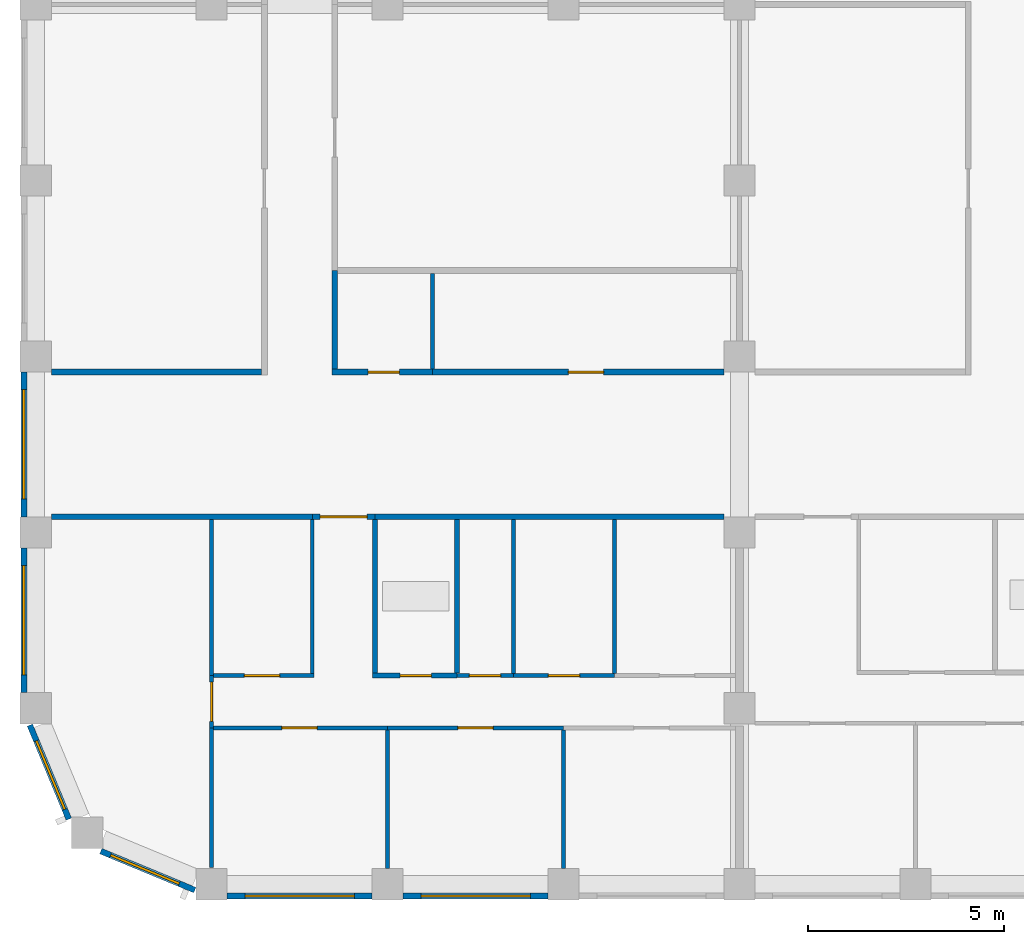
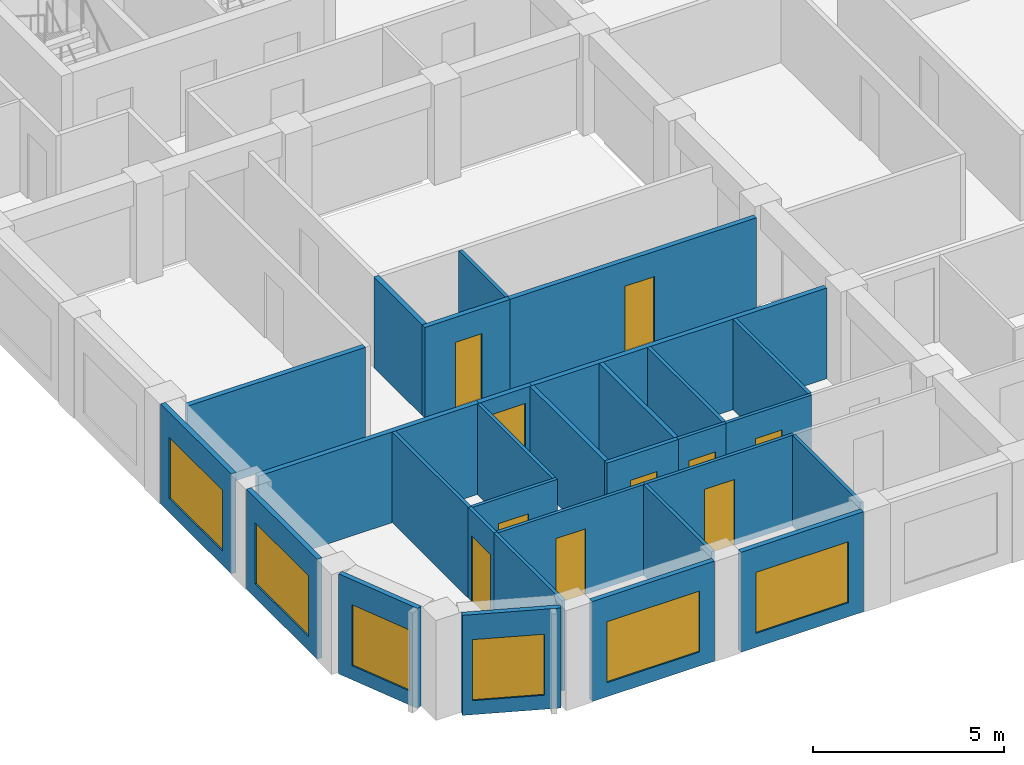
# One storey, part 2 of 10: 30 walls, 10 doors, 6 windows, 16 openings.
"""IFC4 building model written with IfcOpenShell, lengths in metres."""

import ifcopenshell
import ifcopenshell.guid

model = None  # the IFC model being written
_history = None  # IfcOwnerHistory: only IFC2X3 demands one
_inside = {}  # id of a spatial element -> (the spatial element, [elements in it])
_under = {}  # id of a project, library or spatial element -> (it, [spatial elements below it])
_declared = {}  # id of a project -> (the project, [libraries it declares])
_typed = {}  # id of a type object -> (the type object, [elements of that type])
_made_of = {}  # id of a material, layer set ... -> (it, [elements and type objects made of it])


def new_model(schema):
    """Start an empty IFC model of exactly this schema.

    Asked for "IFC4X3", IfcOpenShell would pick the latest addendum, in which some entities
    have other attributes; the version numbers below select the first issue.
    IFC2X3 requires an IfcOwnerHistory on every rooted entity: one is made here for all.
    """
    global model, _history
    if schema == "IFC4X3":
        model = ifcopenshell.file(schema_version=(4, 3, 0, 0))
    else:
        model = ifcopenshell.file(schema=schema)
    _inside.clear()
    _under.clear()
    _declared.clear()
    _typed.clear()
    _made_of.clear()
    _history = None
    if model.schema == "IFC2X3":
        org = make("IfcOrganization", Name="unknown")
        user = make(
            "IfcPersonAndOrganization",
            ThePerson=make("IfcPerson", FamilyName="unknown"),
            TheOrganization=org,
        )
        app = make(
            "IfcApplication",
            ApplicationDeveloper=org,
            Version="unknown",
            ApplicationFullName="unknown",
            ApplicationIdentifier="unknown",
        )
        _history = make(
            "IfcOwnerHistory",
            OwningUser=user,
            OwningApplication=app,
            ChangeAction="ADDED",
            CreationDate=0,
        )
    return model


def make(cls, **values):
    """One entity of the class cls with the attributes given. An attribute that is None is left unset."""
    return model.create_entity(
        cls, **{name: value for name, value in values.items() if value is not None}
    )


def rooted(cls, **values):
    """An entity with a GlobalId (a new one), such as an element, a storey or a relation."""
    return make(cls, GlobalId=ifcopenshell.guid.new(), OwnerHistory=_history, **values)


def si_unit(unit_type, name, prefix=None):
    """IfcSIUnit, for example si_unit("LENGTHUNIT", "METRE", prefix="MILLI")."""
    return make("IfcSIUnit", UnitType=unit_type, Prefix=prefix, Name=name)


def assignment(units):
    """IfcUnitAssignment: the units of a project."""
    return None if units is None else make("IfcUnitAssignment", Units=units)


def point(xyz):
    """IfcCartesianPoint."""
    return None if xyz is None else make("IfcCartesianPoint", Coordinates=xyz)


def direction(xyz):
    """IfcDirection."""
    return None if xyz is None else make("IfcDirection", DirectionRatios=xyz)


def frame(location, z_axis=None, x_axis=None):
    """IfcAxis2Placement3D, a coordinate frame: its origin and axes. An axis left out is left unset."""
    return make(
        "IfcAxis2Placement3D",
        Location=point(location),
        Axis=direction(z_axis),
        RefDirection=direction(x_axis),
    )


def frame_2d(location, x_axis=None):
    """IfcAxis2Placement2D, a coordinate frame in the plane: its origin and x axis."""
    return make(
        "IfcAxis2Placement2D", Location=point(location), RefDirection=direction(x_axis)
    )


def origin():
    """The frame at (0, 0, 0) with its axes left unset."""
    return frame((0.0, 0.0, 0.0))


def place(relative_to, where):
    """IfcLocalPlacement: puts the frame where relative to a parent placement (None: the world)."""
    return make(
        "IfcLocalPlacement", PlacementRelTo=relative_to, RelativePlacement=where
    )


def context(
    kind, dimensions, precision=None, world=None, true_north=None, identifier=None
):
    """IfcGeometricRepresentationContext, for example the 3D "Model" context."""
    return make(
        "IfcGeometricRepresentationContext",
        ContextIdentifier=identifier,
        ContextType=kind,
        CoordinateSpaceDimension=dimensions,
        Precision=precision,
        WorldCoordinateSystem=world,
        TrueNorth=true_north,
    )


def subcontext(parent, identifier, kind, view, scale=None):
    """IfcGeometricRepresentationSubContext, for example "Body" below "Model"."""
    return make(
        "IfcGeometricRepresentationSubContext",
        ContextIdentifier=identifier,
        ContextType=kind,
        ParentContext=parent,
        TargetScale=scale,
        TargetView=view,
    )


def project(units=None, contexts=None):
    """IfcProject with its units and contexts."""
    return rooted(
        "IfcProject",
        Name="project",
        RepresentationContexts=contexts,
        UnitsInContext=assignment(units),
    )


def spatial(cls, under=None, at=None, **own):
    """A site, building, storey or space (cls), placed at a placement, below another one or the project."""
    s = rooted(cls, ObjectPlacement=at, **own)
    if under is not None:
        _under.setdefault(under.id(), (under, []))[1].append(s)
    return s


def profile(cls, at=None, kind="AREA", **sizes):
    """A parametric profile (cls). Its sizes go by their IFC names, for example OverallWidth=200.0."""
    return make(cls, ProfileType=kind, Position=at, **sizes)


def rectangle(**sizes):
    """IfcRectangleProfileDef."""
    return profile("IfcRectangleProfileDef", **sizes)


def extrude(swept, where, along, depth):
    """IfcExtrudedAreaSolid: the profile swept, set in the frame where, extruded along a direction by depth."""
    return make(
        "IfcExtrudedAreaSolid",
        SweptArea=swept,
        Position=where,
        ExtrudedDirection=direction(along),
        Depth=depth,
    )


def shape(context_of_items, identifier, shape_type, items):
    """IfcShapeRepresentation: the items that make up one representation, for example the "Body"."""
    return make(
        "IfcShapeRepresentation",
        ContextOfItems=context_of_items,
        RepresentationIdentifier=identifier,
        RepresentationType=shape_type,
        Items=items,
    )


def material(Name=None, Category=None):
    """IfcMaterial."""
    return make("IfcMaterial", Name=Name, Category=Category)


def layer(
    of_material, thickness, ventilated=None, Name=None, Category=None, Priority=None
):
    """IfcMaterialLayer: one layer of a wall or slab, of a material (None: an air gap)."""
    return make(
        "IfcMaterialLayer",
        Material=of_material,
        LayerThickness=thickness,
        IsVentilated=ventilated,
        Name=Name,
        Category=Category,
        Priority=Priority,
    )


def layer_set(layers, Name=None):
    """IfcMaterialLayerSet."""
    return make("IfcMaterialLayerSet", MaterialLayers=layers, LayerSetName=Name)


def made_of(thing, what):
    """Note that an element or type object is made of a material, layer set ...; save() writes the relation."""
    if what is not None:
        _made_of.setdefault(what.id(), (what, []))[1].append(thing)
    return thing


def type_object(cls, material=None, **own):
    """A type object (cls), such as IfcWallType, which elements share."""
    return made_of(rooted(cls, **own), material)


def element(
    cls,
    number,
    at=None,
    inside=None,
    cuts=None,
    type_object=None,
    material=None,
    context=None,
    identifier="Body",
    shape_type=None,
    held_by="IfcProductDefinitionShape",
    body=None,
    shapes=None,
    **own,
):
    """One element of the class cls, such as IfcWall. Its Tag is "e" and its number.

    at: its placement. inside: the storey or other place that contains it. cuts: it is an
    opening in that element (IfcRelVoidsElement). A single representation is given by context,
    identifier, shape_type and body (its items); several are given by shapes. held_by: the class
    of the entity that holds the representations. save() writes the other relations.
    """
    e = rooted(cls, Tag="e%d" % number, ObjectPlacement=at, **own)
    if body is not None:
        shapes = [shape(context, identifier, shape_type, body)]
    if shapes is not None:
        e.Representation = make(held_by, Representations=shapes)
    if inside is not None:
        _inside.setdefault(inside.id(), (inside, []))[1].append(e)
    if cuts is not None:
        rooted(
            "IfcRelVoidsElement", RelatingBuildingElement=cuts, RelatedOpeningElement=e
        )
    if type_object is not None:
        _typed.setdefault(type_object.id(), (type_object, []))[1].append(e)
    return made_of(e, material)


def fill(opening, filler):
    """IfcRelFillsElement: the door or window that sits in an opening."""
    return rooted(
        "IfcRelFillsElement",
        RelatingOpeningElement=opening,
        RelatedBuildingElement=filler,
    )


def aggregate(whole, parts):
    """IfcRelAggregates: a whole, such as a stair, and the parts it consists of."""
    return rooted("IfcRelAggregates", RelatingObject=whole, RelatedObjects=parts)


def save(model, path):
    """Write the relations noted so far, then the file.

    IfcRelAggregates (storeys below a building ...), IfcRelContainedInSpatialStructure (elements
    in a storey), IfcRelDefinesByType, IfcRelAssociatesMaterial and IfcRelDeclares: one each for
    every whole, place, type object, material and project.
    """
    for whole, parts in _under.values():
        aggregate(whole, parts)
    for where, things in _inside.values():
        rooted(
            "IfcRelContainedInSpatialStructure",
            RelatedElements=things,
            RelatingStructure=where,
        )
    for kind, things in _typed.values():
        rooted("IfcRelDefinesByType", RelatedObjects=things, RelatingType=kind)
    for what, things in _made_of.values():
        rooted("IfcRelAssociatesMaterial", RelatedObjects=things, RelatingMaterial=what)
    for by, libraries in _declared.values():
        rooted("IfcRelDeclares", RelatingContext=by, RelatedDefinitions=libraries)
    model.write(path)


model = new_model("IFC4")

# Units and contexts
model_context = context("Model", 3, precision=1e-05, world=origin(), true_north=direction((0.0, 1.0)))
body_context = subcontext(model_context, "Body", "Model", "MODEL_VIEW")
ifc_project = project(units=[si_unit("LENGTHUNIT", "METRE"), si_unit("AREAUNIT", "SQUARE_METRE"), si_unit("VOLUMEUNIT", "CUBIC_METRE"), si_unit("PLANEANGLEUNIT", "RADIAN"), si_unit("MASSUNIT", "GRAM", prefix="KILO")], contexts=[model_context])

# Site, building, storey
site_placement = place(None, origin())
site = spatial("IfcSite", under=ifc_project, at=site_placement, CompositionType="ELEMENT")
building_placement = place(site_placement, origin())
building = spatial("IfcBuilding", under=site, at=building_placement, Name="Girih Gate Residences", CompositionType="ELEMENT")
storey_placement = place(building_placement, frame((0.0, 0.0, 192.300048828125)))
storey = spatial("IfcBuildingStorey", under=building, at=storey_placement, Name="L53", CompositionType="ELEMENT", Elevation=192.300048828125)

# Wall
ifc_material_1 = material(Name="Gypsum board on steel studs", Category="steel")
ifc_layer_1 = layer(ifc_material_1, 0.14990234375)
ifc_layer_set_1 = layer_set([ifc_layer_1], Name="Compartment wall 150 mm")
wall_type_1 = type_object("IfcWallType", Name="Compartment wall 150 mm", PredefinedType="PARTITIONING", material=ifc_layer_set_1)
wall_1_placement = place(storey_placement, frame((8.675048828125, 9.39990234375, 0.0), z_axis=(0.0, 0.0, 1.0), x_axis=(1.0, 0.0, 0.0)))
element("IfcWall", 1, at=wall_1_placement, inside=storey, type_object=wall_type_1, Name="L53 partition", PredefinedType="PARTITIONING", context=body_context, shape_type="SweptSolid", body=[
    extrude(rectangle(XDim=8.925048828125, YDim=0.14990234375, at=frame_2d((4.46240234375, 0.0))), origin(), (0.0, 0.0, 1.0), 2.89990234375),
])

# Wall, opening, door
wall_2_placement = place(storey_placement, frame((8.675048828125, 9.39990234375, 0.0), z_axis=(0.0, 0.0, 1.0), x_axis=(-1.0, 0.0, 0.0)))
wall_2 = element("IfcWall", 2, at=wall_2_placement, inside=storey, type_object=wall_type_1, Name="L53 partition", PredefinedType="PARTITIONING", context=body_context, shape_type="SweptSolid", body=[
    extrude(rectangle(XDim=1.60009765625, YDim=0.14990234375, at=frame_2d((0.800048828125, 0.0))), origin(), (0.0, 0.0, 1.0), 2.89990234375),
])
opening_1_placement = place(wall_2_placement, frame((0.199951171875, 0.0, 0.0)))
opening_1 = element("IfcOpeningElement", 3, at=opening_1_placement, cuts=wall_2, Name="Opening A53-010", PredefinedType="OPENING", context=body_context, shape_type="SweptSolid", body=[
    extrude(rectangle(XDim=1.199951171875, YDim=2.39990234375, at=frame_2d((0.60009765625, 1.199951171875))), frame((0.0, 0.0849609375, 0.0), z_axis=(0.0, -1.0, 0.0), x_axis=(1.0, 0.0, 0.0)), (0.0, 0.0, 1.0), 0.169921875),
])
ifc_material_2 = material(Name="Timber, fire-rated core", Category="wood")
door_type_1 = type_object("IfcDoorType", Name="Villa entrance door 1200x2400 FD30S", OperationType="NOTDEFINED", PredefinedType="DOOR", material=ifc_material_2)
door_1_placement = place(opening_1_placement, origin())
door_1 = element("IfcDoor", 4, at=door_1_placement, inside=storey, type_object=door_type_1, Name="Door A53-010", OperationType="SINGLE_SWING_RIGHT", OverallHeight=2.39990234375, OverallWidth=1.199951171875, PredefinedType="DOOR", context=body_context, shape_type="SweptSolid", body=[
    extrude(rectangle(XDim=1.199951171875, YDim=2.39990234375, at=frame_2d((0.60009765625, 1.199951171875))), frame((0.0, 0.02490234375, 0.0), z_axis=(0.0, -1.0, 0.0), x_axis=(1.0, 0.0, 0.0)), (0.0, 0.0, 1.0), 0.050048828125),
])
fill(opening_1, door_1)

# Wall
wall_3_placement = place(storey_placement, frame((0.39990234375, 9.39990234375, 0.0), z_axis=(0.0, 0.0, 1.0), x_axis=(1.0, 0.0, 0.0)))
element("IfcWall", 5, at=wall_3_placement, inside=storey, type_object=wall_type_1, Name="L53 partition", PredefinedType="PARTITIONING", context=body_context, shape_type="SweptSolid", body=[
    extrude(rectangle(XDim=6.675048828125, YDim=0.14990234375, at=frame_2d((3.33740234375, 0.0))), origin(), (0.0, 0.0, 1.0), 2.89990234375),
])

# Wall, opening, door
wall_4_placement = place(storey_placement, frame((10.14990234375, 13.10009765625, 0.0), z_axis=(0.0, 0.0, 1.0), x_axis=(1.0, 0.0, 0.0)))
wall_4 = element("IfcWall", 6, at=wall_4_placement, inside=storey, type_object=wall_type_1, Name="L53 partition", PredefinedType="PARTITIONING", context=body_context, shape_type="SweptSolid", body=[
    extrude(rectangle(XDim=7.4501953125, YDim=0.14990234375, at=frame_2d((3.72509765625, 0.0))), origin(), (0.0, 0.0, 1.0), 2.89990234375),
])
opening_2_placement = place(wall_4_placement, frame((3.47509765625, 0.0, 0.0)))
opening_2 = element("IfcOpeningElement", 7, at=opening_2_placement, cuts=wall_4, Name="Opening A53-033", PredefinedType="OPENING", context=body_context, shape_type="SweptSolid", body=[
    extrude(rectangle(XDim=0.89990234375, YDim=2.10009765625, at=frame_2d((0.449951171875, 1.050048828125))), frame((0.0, 0.0849609375, 0.0), z_axis=(0.0, -1.0, 0.0), x_axis=(1.0, 0.0, 0.0)), (0.0, 0.0, 1.0), 0.169921875),
])
ifc_material_3 = material(Name="Timber", Category="wood")
door_type_2 = type_object("IfcDoorType", Name="Service room door 900x2100", OperationType="NOTDEFINED", PredefinedType="DOOR", material=ifc_material_3)
door_2_placement = place(opening_2_placement, origin())
door_2 = element("IfcDoor", 8, at=door_2_placement, inside=storey, type_object=door_type_2, Name="Door A53-033", OperationType="SINGLE_SWING_RIGHT", OverallHeight=2.10009765625, OverallWidth=0.89990234375, PredefinedType="DOOR", context=body_context, shape_type="SweptSolid", body=[
    extrude(rectangle(XDim=0.89990234375, YDim=2.10009765625, at=frame_2d((0.449951171875, 1.050048828125))), frame((0.0, 0.02490234375, 0.0), z_axis=(0.0, -1.0, 0.0), x_axis=(1.0, 0.0, 0.0)), (0.0, 0.0, 1.0), 0.050048828125),
])
fill(opening_2, door_2)

wall_5_placement = place(storey_placement, frame((7.574951171875, 13.10009765625, 0.0), z_axis=(0.0, 0.0, 1.0), x_axis=(1.0, 0.0, 0.0)))
wall_5 = element("IfcWall", 9, at=wall_5_placement, inside=storey, type_object=wall_type_1, Name="L53 partition", PredefinedType="PARTITIONING", context=body_context, shape_type="SweptSolid", body=[
    extrude(rectangle(XDim=2.574951171875, YDim=0.14990234375, at=frame_2d((1.28759765625, 0.0))), origin(), (0.0, 0.0, 1.0), 2.89990234375),
])
opening_3_placement = place(wall_5_placement, frame((0.925048828125, 0.0, 0.0)))
opening_3 = element("IfcOpeningElement", 10, at=opening_3_placement, cuts=wall_5, Name="Opening A53-034", PredefinedType="OPENING", context=body_context, shape_type="SweptSolid", body=[
    extrude(rectangle(XDim=0.800048828125, YDim=2.10009765625, at=frame_2d((0.39990234375, 1.050048828125))), frame((0.0, 0.0849609375, 0.0), z_axis=(0.0, -1.0, 0.0), x_axis=(1.0, 0.0, 0.0)), (0.0, 0.0, 1.0), 0.169921875),
])
door_type_3 = type_object("IfcDoorType", Name="Bathroom door 800x2100", OperationType="NOTDEFINED", PredefinedType="DOOR", material=ifc_material_3)
door_3_placement = place(opening_3_placement, origin())
door_3 = element("IfcDoor", 11, at=door_3_placement, inside=storey, type_object=door_type_3, Name="Door A53-034", OperationType="SINGLE_SWING_RIGHT", OverallHeight=2.10009765625, OverallWidth=0.800048828125, PredefinedType="DOOR", context=body_context, shape_type="SweptSolid", body=[
    extrude(rectangle(XDim=0.800048828125, YDim=2.10009765625, at=frame_2d((0.39990234375, 1.050048828125))), frame((0.0, 0.02490234375, 0.0), z_axis=(0.0, -1.0, 0.0), x_axis=(1.0, 0.0, 0.0)), (0.0, 0.0, 1.0), 0.050048828125),
])
fill(opening_3, door_3)

# Walls
wall_6_placement = place(storey_placement, frame((0.39990234375, 13.10009765625, 0.0), z_axis=(0.0, 0.0, 1.0), x_axis=(1.0, 0.0, 0.0)))
element("IfcWall", 12, at=wall_6_placement, inside=storey, type_object=wall_type_1, Name="L53 partition", PredefinedType="PARTITIONING", context=body_context, shape_type="SweptSolid", body=[
    extrude(rectangle(XDim=5.375, YDim=0.14990234375, at=frame_2d((2.6875, 0.0))), origin(), (0.0, 0.0, 1.0), 2.89990234375),
])
wall_7_placement = place(storey_placement, frame((7.64990234375, 13.175048828125, 0.0), z_axis=(0.0, 0.0, 1.0), x_axis=(0.0, 1.0, 0.0)))
element("IfcWall", 13, at=wall_7_placement, inside=storey, type_object=wall_type_1, Name="L53 partition", PredefinedType="PARTITIONING", context=body_context, shape_type="SweptSolid", body=[
    extrude(rectangle(XDim=2.52490234375, YDim=0.14990234375, at=frame_2d((1.262451171875, 0.0))), origin(), (0.0, 0.0, 1.0), 2.89990234375),
])
ifc_layer_2 = layer(ifc_material_1, 0.10009765625)
ifc_layer_set_2 = layer_set([ifc_layer_2], Name="Partition 100 mm")
wall_type_2 = type_object("IfcWallType", Name="Partition 100 mm", PredefinedType="PARTITIONING", material=ifc_layer_set_2)
wall_8_placement = place(storey_placement, frame((9.0, 0.39990234375, 0.0), z_axis=(0.0, 0.0, 1.0), x_axis=(0.0, 1.0, 0.0)))
element("IfcWall", 14, at=wall_8_placement, inside=storey, type_object=wall_type_2, Name="L53 partition", PredefinedType="PARTITIONING", context=body_context, shape_type="SweptSolid", body=[
    extrude(rectangle(XDim=3.550048828125, YDim=0.10009765625, at=frame_2d((1.77490234375, 0.0))), origin(), (0.0, 0.0, 1.0), 2.89990234375),
])

# Wall, opening, door
wall_9_placement = place(storey_placement, frame((9.0, 4.0, 0.0), z_axis=(0.0, 0.0, 1.0), x_axis=(-1.0, 0.0, 0.0)))
wall_9 = element("IfcWall", 15, at=wall_9_placement, inside=storey, type_object=wall_type_2, Name="L53 partition", PredefinedType="PARTITIONING", context=body_context, shape_type="SweptSolid", body=[
    extrude(rectangle(XDim=4.449951171875, YDim=0.10009765625, at=frame_2d((2.22509765625, 0.0))), origin(), (0.0, 0.0, 1.0), 2.89990234375),
])
opening_4_placement = place(wall_9_placement, frame((1.800048828125, 0.0, 0.0)))
opening_4 = element("IfcOpeningElement", 16, at=opening_4_placement, cuts=wall_9, Name="Opening A53-002", PredefinedType="OPENING", context=body_context, shape_type="SweptSolid", body=[
    extrude(rectangle(XDim=0.89990234375, YDim=2.10009765625, at=frame_2d((0.449951171875, 1.050048828125))), frame((0.0, 0.06005859375, 0.0), z_axis=(0.0, -1.0, 0.0), x_axis=(1.0, 0.0, 0.0)), (0.0, 0.0, 1.0), 0.1201171875),
])
door_type_4 = type_object("IfcDoorType", Name="Bedroom door 900x2100", OperationType="NOTDEFINED", PredefinedType="DOOR", material=ifc_material_3)
door_4_placement = place(opening_4_placement, origin())
door_4 = element("IfcDoor", 17, at=door_4_placement, inside=storey, type_object=door_type_4, Name="Door A53-002", OperationType="SINGLE_SWING_RIGHT", OverallHeight=2.10009765625, OverallWidth=0.89990234375, PredefinedType="DOOR", context=body_context, shape_type="SweptSolid", body=[
    extrude(rectangle(XDim=0.89990234375, YDim=2.10009765625, at=frame_2d((0.449951171875, 1.050048828125))), frame((0.0, 0.02490234375, 0.0), z_axis=(0.0, -1.0, 0.0), x_axis=(1.0, 0.0, 0.0)), (0.0, 0.0, 1.0), 0.050048828125),
])
fill(opening_4, door_4)

# Walls
wall_10_placement = place(storey_placement, frame((4.5, 0.432861328125, 0.0), z_axis=(0.0, 0.0, 1.0), x_axis=(0.0, 1.0, 0.0)))
element("IfcWall", 18, at=wall_10_placement, inside=storey, type_object=wall_type_2, Name="L53 partition", PredefinedType="PARTITIONING", context=body_context, shape_type="SweptSolid", body=[
    extrude(rectangle(XDim=3.567138671875, YDim=0.10009765625, at=frame_2d((1.78369140625, 0.0))), origin(), (0.0, 0.0, 1.0), 2.89990234375),
])
wall_11_placement = place(storey_placement, frame((13.5, 0.39990234375, 0.0), z_axis=(0.0, 0.0, 1.0), x_axis=(0.0, 1.0, 0.0)))
element("IfcWall", 19, at=wall_11_placement, inside=storey, type_object=wall_type_2, Name="L53 partition", PredefinedType="PARTITIONING", context=body_context, shape_type="SweptSolid", body=[
    extrude(rectangle(XDim=3.550048828125, YDim=0.10009765625, at=frame_2d((1.77490234375, 0.0))), origin(), (0.0, 0.0, 1.0), 2.89990234375),
])

# Wall, opening, door
wall_12_placement = place(storey_placement, frame((13.5, 4.0, 0.0), z_axis=(0.0, 0.0, 1.0), x_axis=(-1.0, 0.0, 0.0)))
wall_12 = element("IfcWall", 20, at=wall_12_placement, inside=storey, type_object=wall_type_2, Name="L53 partition", PredefinedType="PARTITIONING", context=body_context, shape_type="SweptSolid", body=[
    extrude(rectangle(XDim=4.5, YDim=0.10009765625, at=frame_2d((2.25, 0.0))), origin(), (0.0, 0.0, 1.0), 2.89990234375),
])
opening_5_placement = place(wall_12_placement, frame((1.800048828125, 0.0, 0.0)))
opening_5 = element("IfcOpeningElement", 21, at=opening_5_placement, cuts=wall_12, Name="Opening A53-003", PredefinedType="OPENING", context=body_context, shape_type="SweptSolid", body=[
    extrude(rectangle(XDim=0.89990234375, YDim=2.10009765625, at=frame_2d((0.449951171875, 1.050048828125))), frame((0.0, 0.06005859375, 0.0), z_axis=(0.0, -1.0, 0.0), x_axis=(1.0, 0.0, 0.0)), (0.0, 0.0, 1.0), 0.1201171875),
])
door_5_placement = place(opening_5_placement, origin())
door_5 = element("IfcDoor", 22, at=door_5_placement, inside=storey, type_object=door_type_4, Name="Door A53-003", OperationType="SINGLE_SWING_LEFT", OverallHeight=2.10009765625, OverallWidth=0.89990234375, PredefinedType="DOOR", context=body_context, shape_type="SweptSolid", body=[
    extrude(rectangle(XDim=0.89990234375, YDim=2.10009765625, at=frame_2d((0.449951171875, 1.050048828125))), frame((0.0, 0.02490234375, 0.0), z_axis=(0.0, -1.0, 0.0), x_axis=(1.0, 0.0, 0.0)), (0.0, 0.0, 1.0), 0.050048828125),
])
fill(opening_5, door_5)

wall_13_placement = place(storey_placement, frame((12.21630859375, 5.340087890625, 0.0), z_axis=(0.0, 0.0, 1.0), x_axis=(1.0, 0.0, 0.0)))
wall_13 = element("IfcWall", 23, at=wall_13_placement, inside=storey, type_object=wall_type_2, Name="L53 partition", PredefinedType="PARTITIONING", context=body_context, shape_type="SweptSolid", body=[
    extrude(rectangle(XDim=2.59130859375, YDim=0.10009765625, at=frame_2d((1.295654296875, 0.0))), origin(), (0.0, 0.0, 1.0), 2.89990234375),
])
opening_6_placement = place(wall_13_placement, frame((0.8955078125, 0.0, 0.0)))
opening_6 = element("IfcOpeningElement", 24, at=opening_6_placement, cuts=wall_13, Name="Opening A53-005", PredefinedType="OPENING", context=body_context, shape_type="SweptSolid", body=[
    extrude(rectangle(XDim=0.800048828125, YDim=2.10009765625, at=frame_2d((0.39990234375, 1.050048828125))), frame((0.0, 0.06005859375, 0.0), z_axis=(0.0, -1.0, 0.0), x_axis=(1.0, 0.0, 0.0)), (0.0, 0.0, 1.0), 0.1201171875),
])
door_type_5 = type_object("IfcDoorType", Name="Store door 800x2100", OperationType="NOTDEFINED", PredefinedType="DOOR", material=ifc_material_3)
door_6_placement = place(opening_6_placement, origin())
door_6 = element("IfcDoor", 25, at=door_6_placement, inside=storey, type_object=door_type_5, Name="Door A53-005", OperationType="SINGLE_SWING_LEFT", OverallHeight=2.10009765625, OverallWidth=0.800048828125, PredefinedType="DOOR", context=body_context, shape_type="SweptSolid", body=[
    extrude(rectangle(XDim=0.800048828125, YDim=2.10009765625, at=frame_2d((0.39990234375, 1.050048828125))), frame((0.0, 0.02490234375, 0.0), z_axis=(0.0, -1.0, 0.0), x_axis=(1.0, 0.0, 0.0)), (0.0, 0.0, 1.0), 0.050048828125),
])
fill(opening_6, door_6)

# Walls
for number, where, z_axis, x_axis, name in (
    (26, (12.216064453125, 5.389892578125, 0.0), (0.0, 0.0, 1.0), (0.0, 1.0, 0.0), "L53 partition"),
    (27, (14.80810546875, 5.389892578125, 0.0), (0.0, 0.0, 1.0), (0.0, 1.0, 0.0), "L53 partition"),
):
    element("IfcWall", number, at=place(storey_placement, frame(where, z_axis=z_axis, x_axis=x_axis)), inside=storey, type_object=wall_type_2, Name=name, PredefinedType="PARTITIONING", context=body_context, shape_type="SweptSolid", body=[
        extrude(rectangle(XDim=3.93505859375, YDim=0.10009765625, at=frame_2d((1.967529296875, 0.0))), origin(), (0.0, 0.0, 1.0), 2.89990234375),
    ])

# Wall, opening, door
wall_14_placement = place(storey_placement, frame((4.550048828125, 5.340087890625, 0.0), z_axis=(0.0, 0.0, 1.0), x_axis=(1.0, 0.0, 0.0)))
wall_14 = element("IfcWall", 28, at=wall_14_placement, inside=storey, type_object=wall_type_2, Name="L53 partition", PredefinedType="PARTITIONING", context=body_context, shape_type="SweptSolid", body=[
    extrude(rectangle(XDim=2.574951171875, YDim=0.10009765625, at=frame_2d((1.28759765625, 0.0))), origin(), (0.0, 0.0, 1.0), 2.89990234375),
])
opening_7_placement = place(wall_14_placement, frame((0.78759765625, 0.0, 0.0)))
opening_7 = element("IfcOpeningElement", 29, at=opening_7_placement, cuts=wall_14, Name="Opening A53-006", PredefinedType="OPENING", context=body_context, shape_type="SweptSolid", body=[
    extrude(rectangle(XDim=0.89990234375, YDim=2.10009765625, at=frame_2d((0.449951171875, 1.050048828125))), frame((0.0, 0.06005859375, 0.0), z_axis=(0.0, -1.0, 0.0), x_axis=(1.0, 0.0, 0.0)), (0.0, 0.0, 1.0), 0.1201171875),
])
door_type_6 = type_object("IfcDoorType", Name="Kitchen door 900x2100", OperationType="NOTDEFINED", PredefinedType="DOOR", material=ifc_material_3)
door_7_placement = place(opening_7_placement, origin())
door_7 = element("IfcDoor", 30, at=door_7_placement, inside=storey, type_object=door_type_6, Name="Door A53-006", OperationType="SINGLE_SWING_LEFT", OverallHeight=2.10009765625, OverallWidth=0.89990234375, PredefinedType="DOOR", context=body_context, shape_type="SweptSolid", body=[
    extrude(rectangle(XDim=0.89990234375, YDim=2.10009765625, at=frame_2d((0.449951171875, 1.050048828125))), frame((0.0, 0.02490234375, 0.0), z_axis=(0.0, -1.0, 0.0), x_axis=(1.0, 0.0, 0.0)), (0.0, 0.0, 1.0), 0.050048828125),
])
fill(opening_7, door_7)

# Wall
wall_15_placement = place(storey_placement, frame((7.074951171875, 5.389892578125, 0.0), z_axis=(0.0, 0.0, 1.0), x_axis=(0.0, 1.0, 0.0)))
element("IfcWall", 31, at=wall_15_placement, inside=storey, type_object=wall_type_2, Name="L53 partition", PredefinedType="PARTITIONING", context=body_context, shape_type="SweptSolid", body=[
    extrude(rectangle(XDim=3.93505859375, YDim=0.10009765625, at=frame_2d((1.967529296875, 0.0))), origin(), (0.0, 0.0, 1.0), 2.89990234375),
])

# Wall, opening, door
wall_16_placement = place(storey_placement, frame((4.5, 4.0, 0.0), z_axis=(0.0, 0.0, 1.0), x_axis=(0.0, 1.0, 0.0)))
wall_16 = element("IfcWall", 32, at=wall_16_placement, inside=storey, type_object=wall_type_2, Name="L53 partition", PredefinedType="PARTITIONING", context=body_context, shape_type="SweptSolid", body=[
    extrude(rectangle(XDim=1.340087890625, YDim=0.10009765625, at=frame_2d((0.669921875, 0.0))), origin(), (0.0, 0.0, 1.0), 2.89990234375),
])
opening_8_placement = place(wall_16_placement, frame((0.169921875, 0.0, 0.0)))
opening_8 = element("IfcOpeningElement", 33, at=opening_8_placement, cuts=wall_16, Name="Opening A53-007", PredefinedType="OPENING", context=body_context, shape_type="SweptSolid", body=[
    extrude(rectangle(XDim=1.0, YDim=2.10009765625, at=frame_2d((0.5, 1.050048828125))), frame((0.0, 0.06005859375, 0.0), z_axis=(0.0, -1.0, 0.0), x_axis=(1.0, 0.0, 0.0)), (0.0, 0.0, 1.0), 0.1201171875),
])
door_type_7 = type_object("IfcDoorType", Name="Living room door 1000x2100", OperationType="NOTDEFINED", PredefinedType="DOOR", material=ifc_material_3)
door_8_placement = place(opening_8_placement, origin())
door_8 = element("IfcDoor", 34, at=door_8_placement, inside=storey, type_object=door_type_7, Name="Door A53-007", OperationType="SINGLE_SWING_RIGHT", OverallHeight=2.10009765625, OverallWidth=1.0, PredefinedType="DOOR", context=body_context, shape_type="SweptSolid", body=[
    extrude(rectangle(XDim=1.0, YDim=2.10009765625, at=frame_2d((0.5, 1.050048828125))), frame((0.0, 0.02490234375, 0.0), z_axis=(0.0, -1.0, 0.0), x_axis=(1.0, 0.0, 0.0)), (0.0, 0.0, 1.0), 0.050048828125),
])
fill(opening_8, door_8)

wall_17_placement = place(storey_placement, frame((10.771728515625, 5.340087890625, 0.0), z_axis=(0.0, 0.0, 1.0), x_axis=(1.0, 0.0, 0.0)))
wall_17 = element("IfcWall", 35, at=wall_17_placement, inside=storey, type_object=wall_type_2, Name="L53 partition", PredefinedType="PARTITIONING", context=body_context, shape_type="SweptSolid", body=[
    extrude(rectangle(XDim=1.444580078125, YDim=0.10009765625, at=frame_2d((0.72216796875, 0.0))), origin(), (0.0, 0.0, 1.0), 2.89990234375),
])
opening_9_placement = place(wall_17_placement, frame((0.322265625, 0.0, 0.0)))
opening_9 = element("IfcOpeningElement", 36, at=opening_9_placement, cuts=wall_17, Name="Opening A53-008", PredefinedType="OPENING", context=body_context, shape_type="SweptSolid", body=[
    extrude(rectangle(XDim=0.800048828125, YDim=2.10009765625, at=frame_2d((0.39990234375, 1.050048828125))), frame((0.0, 0.06005859375, 0.0), z_axis=(0.0, -1.0, 0.0), x_axis=(1.0, 0.0, 0.0)), (0.0, 0.0, 1.0), 0.1201171875),
])
door_9_placement = place(opening_9_placement, origin())
door_9 = element("IfcDoor", 37, at=door_9_placement, inside=storey, type_object=door_type_5, Name="Door A53-008", OperationType="SINGLE_SWING_RIGHT", OverallHeight=2.10009765625, OverallWidth=0.800048828125, PredefinedType="DOOR", context=body_context, shape_type="SweptSolid", body=[
    extrude(rectangle(XDim=0.800048828125, YDim=2.10009765625, at=frame_2d((0.39990234375, 1.050048828125))), frame((0.0, 0.02490234375, 0.0), z_axis=(0.0, -1.0, 0.0), x_axis=(1.0, 0.0, 0.0)), (0.0, 0.0, 1.0), 0.050048828125),
])
fill(opening_9, door_9)

# Walls
wall_18_placement = place(storey_placement, frame((4.5, 5.340087890625, 0.0), z_axis=(0.0, 0.0, 1.0), x_axis=(0.0, 1.0, 0.0)))
element("IfcWall", 38, at=wall_18_placement, inside=storey, type_object=wall_type_2, Name="L53 partition", PredefinedType="PARTITIONING", context=body_context, shape_type="SweptSolid", body=[
    extrude(rectangle(XDim=3.98486328125, YDim=0.10009765625, at=frame_2d((1.992431640625, 0.0))), origin(), (0.0, 0.0, 1.0), 2.89990234375),
])
wall_19_placement = place(storey_placement, frame((10.14990234375, 13.175048828125, 0.0), z_axis=(0.0, 0.0, 1.0), x_axis=(0.0, 1.0, 0.0)))
element("IfcWall", 39, at=wall_19_placement, inside=storey, type_object=wall_type_2, Name="L53 partition", PredefinedType="PARTITIONING", context=body_context, shape_type="SweptSolid", body=[
    extrude(rectangle(XDim=2.449951171875, YDim=0.10009765625, at=frame_2d((1.22509765625, 0.0))), origin(), (0.0, 0.0, 1.0), 2.89990234375),
])

# Wall, opening, window
ifc_material_4 = material(Name="Precast concrete C50/60", Category="concrete")
ifc_layer_3 = layer(ifc_material_4, 0.050048828125, Name="Outer leaf")
ifc_material_5 = material(Name="Rigid PIR insulation")
ifc_layer_4 = layer(ifc_material_5, 0.06005859375, Name="Insulation")
ifc_material_6 = material(Name="Precast concrete C40/50", Category="concrete")
ifc_layer_5 = layer(ifc_material_6, 0.0400390625, Name="Inner leaf")
ifc_layer_set_3 = layer_set([ifc_layer_3, ifc_layer_4, ifc_layer_5], Name="Precast concrete C50/60 external wall 150")
wall_type_3 = type_object("IfcWallType", Name="Precast concrete C50/60 external wall 150", PredefinedType="SOLIDWALL", material=ifc_layer_set_3)
wall_20_placement = place(storey_placement, frame((-0.300048828125, 9.39990234375, 0.0), z_axis=(0.0, 0.0, 1.0), x_axis=(0.0, 1.0, 0.0)))
wall_20 = element("IfcWall", 40, at=wall_20_placement, inside=storey, type_object=wall_type_3, Name="External wall W0000_0450.7", PredefinedType="SOLIDWALL", context=body_context, shape_type="SweptSolid", body=[
    extrude(rectangle(XDim=3.7001953125, YDim=0.14990234375, at=frame_2d((1.85009765625, 0.0))), origin(), (0.0, 0.0, 1.0), 3.199951171875),
])
opening_10_placement = place(wall_20_placement, frame((0.449951171875, 0.0, 0.449951171875)))
opening_10 = element("IfcOpeningElement", 41, at=opening_10_placement, cuts=wall_20, Name="Opening W-1B", PredefinedType="OPENING", context=body_context, shape_type="SweptSolid", body=[
    extrude(rectangle(XDim=2.800048828125, YDim=1.949951171875, at=frame_2d((1.39990234375, 0.97509765625))), frame((0.0, 0.0849609375, 0.0), z_axis=(0.0, -1.0, 0.0), x_axis=(1.0, 0.0, 0.0)), (0.0, 0.0, 1.0), 0.169921875),
])
ifc_material_7 = material(Name="Double glazing in aluminium frame", Category="aluminium")
window_type_1 = type_object("IfcWindowType", Name="Window W-1B 2800x1950", PartitioningType="SINGLE_PANEL", PredefinedType="WINDOW", material=ifc_material_7)
window_1_placement = place(opening_10_placement, origin())
window_1 = element("IfcWindow", 42, at=window_1_placement, inside=storey, type_object=window_type_1, Name="Window W-1B W0000_0450.7", OverallHeight=1.949951171875, OverallWidth=2.800048828125, PartitioningType="SINGLE_PANEL", PredefinedType="WINDOW", context=body_context, shape_type="SweptSolid", body=[
    extrude(rectangle(XDim=2.800048828125, YDim=1.949951171875, at=frame_2d((1.39990234375, 0.97509765625))), frame((0.0, 0.030029296875, 0.0), z_axis=(0.0, -1.0, 0.0), x_axis=(1.0, 0.0, 0.0)), (0.0, 0.0, 1.0), 0.06005859375),
])
fill(opening_10, window_1)

wall_21_placement = place(storey_placement, frame((-0.300048828125, 4.89990234375, 0.0), z_axis=(0.0, 0.0, 1.0), x_axis=(0.0, 1.0, 0.0)))
wall_21 = element("IfcWall", 43, at=wall_21_placement, inside=storey, type_object=wall_type_3, Name="External wall W0000_0450.8", PredefinedType="SOLIDWALL", context=body_context, shape_type="SweptSolid", body=[
    extrude(rectangle(XDim=3.7001953125, YDim=0.14990234375, at=frame_2d((1.85009765625, 0.0))), origin(), (0.0, 0.0, 1.0), 3.199951171875),
])
opening_11_placement = place(wall_21_placement, frame((0.449951171875, 0.0, 0.449951171875)))
opening_11 = element("IfcOpeningElement", 44, at=opening_11_placement, cuts=wall_21, Name="Opening W-1B", PredefinedType="OPENING", context=body_context, shape_type="SweptSolid", body=[
    extrude(rectangle(XDim=2.800048828125, YDim=1.949951171875, at=frame_2d((1.39990234375, 0.97509765625))), frame((0.0, 0.0849609375, 0.0), z_axis=(0.0, -1.0, 0.0), x_axis=(1.0, 0.0, 0.0)), (0.0, 0.0, 1.0), 0.169921875),
])
window_2_placement = place(opening_11_placement, origin())
window_2 = element("IfcWindow", 45, at=window_2_placement, inside=storey, type_object=window_type_1, Name="Window W-1B W0000_0450.8", OverallHeight=1.949951171875, OverallWidth=2.800048828125, PartitioningType="SINGLE_PANEL", PredefinedType="WINDOW", context=body_context, shape_type="SweptSolid", body=[
    extrude(rectangle(XDim=2.800048828125, YDim=1.949951171875, at=frame_2d((1.39990234375, 0.97509765625))), frame((0.0, 0.030029296875, 0.0), z_axis=(0.0, -1.0, 0.0), x_axis=(1.0, 0.0, 0.0)), (0.0, 0.0, 1.0), 0.06005859375),
])
fill(opening_11, window_2)

wall_22_placement = place(storey_placement, frame((0.8486328125, 1.6669921875, 0.0), z_axis=(0.0, 0.0, 1.0), x_axis=(-0.382669406082, 0.923885342263, 0.0)))
wall_22 = element("IfcWall", 46, at=wall_22_placement, inside=storey, type_object=wall_type_3, Name="External wall SW0000_0045.0", PredefinedType="SOLIDWALL", context=body_context, shape_type="SweptSolid", body=[
    extrude(rectangle(XDim=2.602294921875, YDim=0.14990234375, at=frame_2d((1.30126953125, 0.0))), origin(), (0.0, 0.0, 1.0), 3.199951171875),
])
opening_12_placement = place(wall_22_placement, frame((0.27001953125, 0.0, 0.449951171875)))
opening_12 = element("IfcOpeningElement", 47, at=opening_12_placement, cuts=wall_22, Name="Opening W-2G", PredefinedType="OPENING", context=body_context, shape_type="SweptSolid", body=[
    extrude(rectangle(XDim=1.89990234375, YDim=1.949951171875, at=frame_2d((0.949951171875, 0.97509765625))), frame((0.0, 0.0849609375, 0.0), z_axis=(0.0, -1.0, 0.0), x_axis=(1.0, 0.0, 0.0)), (0.0, 0.0, 1.0), 0.169921875),
])
window_type_2 = type_object("IfcWindowType", Name="Window W-2G 1900x1950", PartitioningType="SINGLE_PANEL", PredefinedType="WINDOW", material=ifc_material_7)
window_3_placement = place(opening_12_placement, origin())
window_3 = element("IfcWindow", 48, at=window_3_placement, inside=storey, type_object=window_type_2, Name="Window W-2G SW0000_0045.0", OverallHeight=1.949951171875, OverallWidth=1.89990234375, PartitioningType="SINGLE_PANEL", PredefinedType="WINDOW", context=body_context, shape_type="SweptSolid", body=[
    extrude(rectangle(XDim=1.89990234375, YDim=1.949951171875, at=frame_2d((0.949951171875, 0.97509765625))), frame((0.0, 0.030029296875, 0.0), z_axis=(0.0, -1.0, 0.0), x_axis=(1.0, 0.0, 0.0)), (0.0, 0.0, 1.0), 0.06005859375),
])
fill(opening_12, window_3)

wall_23_placement = place(storey_placement, frame((4.0712890625, -0.147216796875, 0.0), z_axis=(0.0, 0.0, 1.0), x_axis=(-0.923885342263, 0.382669406082, 0.0)))
wall_23 = element("IfcWall", 49, at=wall_23_placement, inside=storey, type_object=wall_type_3, Name="External wall SW0013_0013.0", PredefinedType="SOLIDWALL", context=body_context, shape_type="SweptSolid", body=[
    extrude(rectangle(XDim=2.602294921875, YDim=0.14990234375, at=frame_2d((1.30126953125, 0.0))), origin(), (0.0, 0.0, 1.0), 3.199951171875),
])
opening_13_placement = place(wall_23_placement, frame((0.432373046875, 0.0, 0.449951171875)))
opening_13 = element("IfcOpeningElement", 50, at=opening_13_placement, cuts=wall_23, Name="Opening W-2G", PredefinedType="OPENING", context=body_context, shape_type="SweptSolid", body=[
    extrude(rectangle(XDim=1.89990234375, YDim=1.949951171875, at=frame_2d((0.949951171875, 0.97509765625))), frame((0.0, 0.0849609375, 0.0), z_axis=(0.0, -1.0, 0.0), x_axis=(1.0, 0.0, 0.0)), (0.0, 0.0, 1.0), 0.169921875),
])
window_4_placement = place(opening_13_placement, origin())
window_4 = element("IfcWindow", 51, at=window_4_placement, inside=storey, type_object=window_type_2, Name="Window W-2G SW0013_0013.0", OverallHeight=1.949951171875, OverallWidth=1.89990234375, PartitioningType="SINGLE_PANEL", PredefinedType="WINDOW", context=body_context, shape_type="SweptSolid", body=[
    extrude(rectangle(XDim=1.89990234375, YDim=1.949951171875, at=frame_2d((0.949951171875, 0.97509765625))), frame((0.0, 0.030029296875, 0.0), z_axis=(0.0, -1.0, 0.0), x_axis=(1.0, 0.0, 0.0)), (0.0, 0.0, 1.0), 0.06005859375),
])
fill(opening_13, window_4)

wall_24_placement = place(storey_placement, frame((8.60009765625, -0.300048828125, 0.0), z_axis=(0.0, 0.0, 1.0), x_axis=(-1.0, 0.0, 0.0)))
wall_24 = element("IfcWall", 52, at=wall_24_placement, inside=storey, type_object=wall_type_3, Name="External wall S0045_0000.0", PredefinedType="SOLIDWALL", context=body_context, shape_type="SweptSolid", body=[
    extrude(rectangle(XDim=3.7001953125, YDim=0.14990234375, at=frame_2d((1.85009765625, 0.0))), origin(), (0.0, 0.0, 1.0), 3.199951171875),
])
opening_14_placement = place(wall_24_placement, frame((0.449951171875, 0.0, 0.449951171875)))
opening_14 = element("IfcOpeningElement", 53, at=opening_14_placement, cuts=wall_24, Name="Opening W-1B", PredefinedType="OPENING", context=body_context, shape_type="SweptSolid", body=[
    extrude(rectangle(XDim=2.800048828125, YDim=1.949951171875, at=frame_2d((1.39990234375, 0.97509765625))), frame((0.0, 0.0849609375, 0.0), z_axis=(0.0, -1.0, 0.0), x_axis=(1.0, 0.0, 0.0)), (0.0, 0.0, 1.0), 0.169921875),
])
window_5_placement = place(opening_14_placement, origin())
window_5 = element("IfcWindow", 54, at=window_5_placement, inside=storey, type_object=window_type_1, Name="Window W-1B S0045_0000.0", OverallHeight=1.949951171875, OverallWidth=2.800048828125, PartitioningType="SINGLE_PANEL", PredefinedType="WINDOW", context=body_context, shape_type="SweptSolid", body=[
    extrude(rectangle(XDim=2.800048828125, YDim=1.949951171875, at=frame_2d((1.39990234375, 0.97509765625))), frame((0.0, 0.030029296875, 0.0), z_axis=(0.0, -1.0, 0.0), x_axis=(1.0, 0.0, 0.0)), (0.0, 0.0, 1.0), 0.06005859375),
])
fill(opening_14, window_5)

wall_25_placement = place(storey_placement, frame((13.10009765625, -0.300048828125, 0.0), z_axis=(0.0, 0.0, 1.0), x_axis=(-1.0, 0.0, 0.0)))
wall_25 = element("IfcWall", 55, at=wall_25_placement, inside=storey, type_object=wall_type_3, Name="External wall S0045_0000.1", PredefinedType="SOLIDWALL", context=body_context, shape_type="SweptSolid", body=[
    extrude(rectangle(XDim=3.7001953125, YDim=0.14990234375, at=frame_2d((1.85009765625, 0.0))), origin(), (0.0, 0.0, 1.0), 3.199951171875),
])
opening_15_placement = place(wall_25_placement, frame((0.449951171875, 0.0, 0.449951171875)))
opening_15 = element("IfcOpeningElement", 56, at=opening_15_placement, cuts=wall_25, Name="Opening W-1B", PredefinedType="OPENING", context=body_context, shape_type="SweptSolid", body=[
    extrude(rectangle(XDim=2.800048828125, YDim=1.949951171875, at=frame_2d((1.39990234375, 0.97509765625))), frame((0.0, 0.0849609375, 0.0), z_axis=(0.0, -1.0, 0.0), x_axis=(1.0, 0.0, 0.0)), (0.0, 0.0, 1.0), 0.169921875),
])
window_6_placement = place(opening_15_placement, origin())
window_6 = element("IfcWindow", 57, at=window_6_placement, inside=storey, type_object=window_type_1, Name="Window W-1B S0045_0000.1", OverallHeight=1.949951171875, OverallWidth=2.800048828125, PartitioningType="SINGLE_PANEL", PredefinedType="WINDOW", context=body_context, shape_type="SweptSolid", body=[
    extrude(rectangle(XDim=2.800048828125, YDim=1.949951171875, at=frame_2d((1.39990234375, 0.97509765625))), frame((0.0, 0.030029296875, 0.0), z_axis=(0.0, -1.0, 0.0), x_axis=(1.0, 0.0, 0.0)), (0.0, 0.0, 1.0), 0.06005859375),
])
fill(opening_15, window_6)

# Wall, opening, door
ifc_layer_6 = layer(ifc_material_1, 0.125)
ifc_layer_set_4 = layer_set([ifc_layer_6], Name="Wet room wall 125 mm")
wall_type_4 = type_object("IfcWallType", Name="Wet room wall 125 mm", PredefinedType="PARTITIONING", material=ifc_layer_set_4)
wall_26_placement = place(storey_placement, frame((8.612548828125, 5.340087890625, 0.0), z_axis=(0.0, 0.0, 1.0), x_axis=(1.0, 0.0, 0.0)))
wall_26 = element("IfcWall", 58, at=wall_26_placement, inside=storey, type_object=wall_type_4, Name="L53 partition", PredefinedType="PARTITIONING", context=body_context, shape_type="SweptSolid", body=[
    extrude(rectangle(XDim=2.1591796875, YDim=0.125, at=frame_2d((1.07958984375, 0.0))), origin(), (0.0, 0.0, 1.0), 2.89990234375),
])
opening_16_placement = place(wall_26_placement, frame((0.7109375, 0.0, 0.0)))
opening_16 = element("IfcOpeningElement", 59, at=opening_16_placement, cuts=wall_26, Name="Opening A53-001", PredefinedType="OPENING", context=body_context, shape_type="SweptSolid", body=[
    extrude(rectangle(XDim=0.800048828125, YDim=2.10009765625, at=frame_2d((0.39990234375, 1.050048828125))), frame((0.0, 0.072509765625, 0.0), z_axis=(0.0, -1.0, 0.0), x_axis=(1.0, 0.0, 0.0)), (0.0, 0.0, 1.0), 0.14501953125),
])
door_10_placement = place(opening_16_placement, origin())
door_10 = element("IfcDoor", 60, at=door_10_placement, inside=storey, type_object=door_type_3, Name="Door A53-001", OperationType="SINGLE_SWING_RIGHT", OverallHeight=2.10009765625, OverallWidth=0.800048828125, PredefinedType="DOOR", context=body_context, shape_type="SweptSolid", body=[
    extrude(rectangle(XDim=0.800048828125, YDim=2.10009765625, at=frame_2d((0.39990234375, 1.050048828125))), frame((0.0, 0.02490234375, 0.0), z_axis=(0.0, -1.0, 0.0), x_axis=(1.0, 0.0, 0.0)), (0.0, 0.0, 1.0), 0.050048828125),
])
fill(opening_16, door_10)

# Walls
for number, where, z_axis, x_axis, name in (
    (61, (8.675048828125, 5.402587890625, 0.0), (0.0, 0.0, 1.0), (0.0, 1.0, 0.0), "L53 partition"),
    (62, (10.77197265625, 5.402587890625, 0.0), (0.0, 0.0, 1.0), (0.0, 1.0, 0.0), "L53 partition"),
):
    element("IfcWall", number, at=place(storey_placement, frame(where, z_axis=z_axis, x_axis=x_axis)), inside=storey, type_object=wall_type_4, Name=name, PredefinedType="PARTITIONING", context=body_context, shape_type="SweptSolid", body=[
        extrude(rectangle(XDim=3.92236328125, YDim=0.125, at=frame_2d((1.961181640625, 0.0))), origin(), (0.0, 0.0, 1.0), 2.89990234375),
    ])

save(model, "model.ifc")
